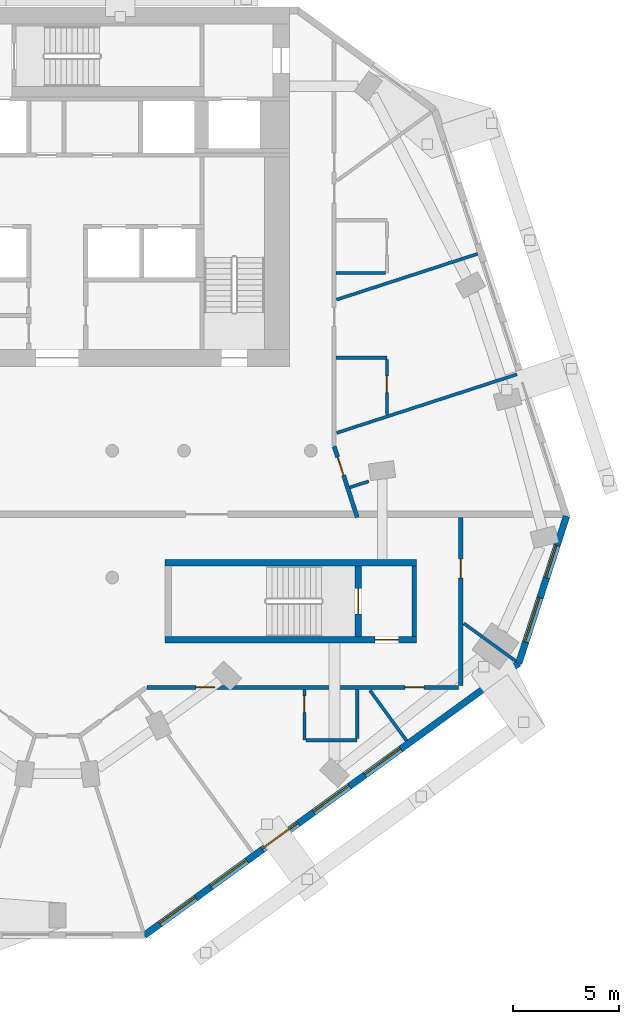
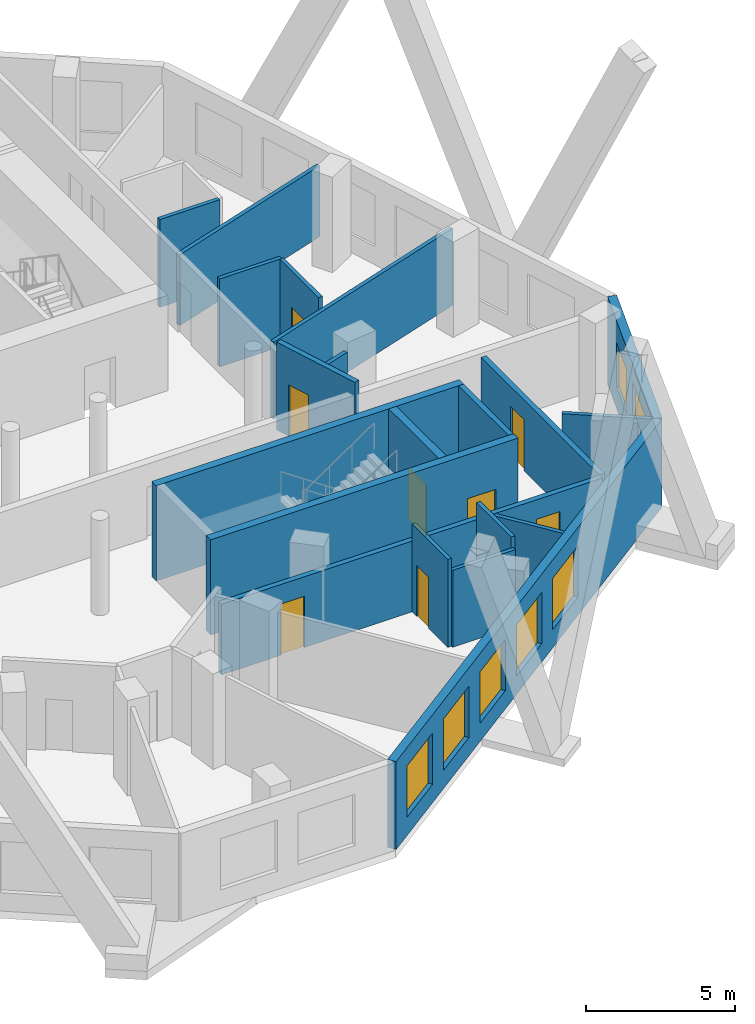
# One storey, part 5 of 10: 20 walls, 8 doors, 7 windows, 15 openings.
"""IFC4 building model written with IfcOpenShell, lengths in metres."""

from ifc_helpers import new_model, si_unit, direction, frame, frame_2d, origin, place, context, subcontext, project, spatial, rectangle, extrude, material, layer, layer_set, type_object, element, fill, save


model = new_model("IFC4")

# Units and contexts
model_context = context("Model", 3, precision=1e-05, world=origin(), true_north=direction((0.0, 1.0)))
body_context = subcontext(model_context, "Body", "Model", "MODEL_VIEW")
ifc_project = project(units=[si_unit("LENGTHUNIT", "METRE"), si_unit("AREAUNIT", "SQUARE_METRE"), si_unit("VOLUMEUNIT", "CUBIC_METRE"), si_unit("PLANEANGLEUNIT", "RADIAN"), si_unit("MASSUNIT", "GRAM", prefix="KILO")], contexts=[model_context])

# Site, building, storey
site_placement = place(None, origin())
site = spatial("IfcSite", under=ifc_project, at=site_placement, CompositionType="ELEMENT")
building_placement = place(site_placement, origin())
building = spatial("IfcBuilding", under=site, at=building_placement, Name="White Candle Pilgrim Tower", CompositionType="ELEMENT")
storey_placement = place(building_placement, frame((0.0, 0.0, 231.60009765625)))
storey = spatial("IfcBuildingStorey", under=building, at=storey_placement, Name="L54", CompositionType="ELEMENT", Elevation=231.60009765625)

# Wall
ifc_material_1 = material(Name="Concrete C50/60", Category="concrete")
ifc_layer_1 = layer(ifc_material_1, 0.199951171875)
ifc_layer_set_1 = layer_set([ifc_layer_1], Name="Core wall 200 mm Concrete C50/60")
wall_type_1 = type_object("IfcWallType", Name="Core wall 200 mm Concrete C50/60", PredefinedType="SHEAR", material=ifc_layer_set_1)
wall_1_placement = place(storey_placement, frame((86.89990234375, 58.199951171875, 0.0), z_axis=(0.0, 0.0, 1.0), x_axis=(0.0, 1.0, 0.0)))
element("IfcWall", 1, at=wall_1_placement, inside=storey, type_object=wall_type_1, Name="WL-L54-C08", PredefinedType="SHEAR", context=body_context, shape_type="SweptSolid", body=[
    extrude(rectangle(XDim=3.35009765625, YDim=0.199951171875, at=frame_2d((1.675048828125, 0.0))), origin(), (0.0, 0.0, 1.0), 3.89990234375),
])

# Wall, opening, door
ifc_material_2 = material(Name="Gypsum board on steel studs", Category="steel")
ifc_layer_2 = layer(ifc_material_2, 0.199951171875)
ifc_layer_set_2 = layer_set([ifc_layer_2], Name="Corridor wall 200 mm EI 45")
wall_type_2 = type_object("IfcWallType", Name="Corridor wall 200 mm EI 45", PredefinedType="PARTITIONING", material=ifc_layer_set_2)
wall_2_placement = place(storey_placement, frame((83.10498046875, 67.2109375, 0.0), z_axis=(0.0, 0.0, 1.0), x_axis=(0.309026709141, -0.951053359721, 0.0)))
wall_2 = element("IfcWall", 2, at=wall_2_placement, inside=storey, type_object=wall_type_2, Name="WL-L54-P005", PredefinedType="PARTITIONING", context=body_context, shape_type="SweptSolid", body=[
    extrude(rectangle(XDim=3.53369140625, YDim=0.199951171875, at=frame_2d((1.766845703125, 0.0))), origin(), (0.0, 0.0, 1.0), 3.599853515625),
])
opening_1_placement = place(wall_2_placement, frame((0.542236328125, 0.0, 0.0)))
opening_1 = element("IfcOpeningElement", 3, at=opening_1_placement, cuts=wall_2, Name="Opening T17-126", PredefinedType="OPENING", context=body_context, shape_type="SweptSolid", body=[
    extrude(rectangle(XDim=0.89990234375, YDim=2.10009765625, at=frame_2d((0.449951171875, 1.050048828125))), frame((0.0, 0.10986328125, 0.0), z_axis=(0.0, -1.0, 0.0), x_axis=(1.0, 0.0, 0.0)), (0.0, 0.0, 1.0), 0.219970703125),
])
ifc_material_3 = material(Name="Steel door leaf", Category="steel")
door_type_1 = type_object("IfcDoorType", Name="Fire door 900 x 2100 EI 30", OperationType="NOTDEFINED", PredefinedType="DOOR", material=ifc_material_3)
door_1_placement = place(opening_1_placement, origin())
door_1 = element("IfcDoor", 4, at=door_1_placement, inside=storey, type_object=door_type_1, Name="Door T17-126", OperationType="SINGLE_SWING_RIGHT", OverallHeight=2.10009765625, OverallWidth=0.89990234375, PredefinedType="DOOR", context=body_context, shape_type="SweptSolid", body=[
    extrude(rectangle(XDim=0.89990234375, YDim=2.10009765625, at=frame_2d((0.449951171875, 1.050048828125))), frame((0.0, 0.02490234375, 0.0), z_axis=(0.0, -1.0, 0.0), x_axis=(1.0, 0.0, 0.0)), (0.0, 0.0, 1.0), 0.050048828125),
])
fill(opening_1, door_1)

wall_3_placement = place(storey_placement, frame((89.10009765625, 63.85009765625, 0.0), z_axis=(0.0, 0.0, 1.0), x_axis=(0.0, -1.0, 0.0)))
wall_3 = element("IfcWall", 5, at=wall_3_placement, inside=storey, type_object=wall_type_2, Name="WL-L54-P006", PredefinedType="PARTITIONING", context=body_context, shape_type="SweptSolid", body=[
    extrude(rectangle(XDim=7.9501953125, YDim=0.199951171875, at=frame_2d((3.97509765625, 0.0))), origin(), (0.0, 0.0, 1.0), 2.89990234375),
])
opening_2_placement = place(wall_3_placement, frame((1.983154296875, 0.0, 0.0)))
opening_2 = element("IfcOpeningElement", 6, at=opening_2_placement, cuts=wall_3, Name="Opening T17-114", PredefinedType="OPENING", context=body_context, shape_type="SweptSolid", body=[
    extrude(rectangle(XDim=0.89990234375, YDim=2.10009765625, at=frame_2d((0.449951171875, 1.050048828125))), frame((0.0, 0.10986328125, 0.0), z_axis=(0.0, -1.0, 0.0), x_axis=(1.0, 0.0, 0.0)), (0.0, 0.0, 1.0), 0.219970703125),
])
door_2_placement = place(opening_2_placement, origin())
door_2 = element("IfcDoor", 7, at=door_2_placement, inside=storey, type_object=door_type_1, Name="Door T17-114", OperationType="SINGLE_SWING_RIGHT", OverallHeight=2.10009765625, OverallWidth=0.89990234375, PredefinedType="DOOR", context=body_context, shape_type="SweptSolid", body=[
    extrude(rectangle(XDim=0.89990234375, YDim=2.10009765625, at=frame_2d((0.449951171875, 1.050048828125))), frame((0.0, 0.02490234375, 0.0), z_axis=(0.0, -1.0, 0.0), x_axis=(1.0, 0.0, 0.0)), (0.0, 0.0, 1.0), 0.050048828125),
])
fill(opening_2, door_2)

# Wall, openings, doors
wall_4_placement = place(storey_placement, frame((89.0, 55.800048828125, 0.0), z_axis=(0.0, 0.0, 1.0), x_axis=(-1.0, 0.0, 0.0)))
wall_4 = element("IfcWall", 8, at=wall_4_placement, inside=storey, type_object=wall_type_2, Name="WL-L54-P007", PredefinedType="PARTITIONING", context=body_context, shape_type="SweptSolid", body=[
    extrude(rectangle(XDim=14.751220703125, YDim=0.199951171875, at=frame_2d((7.37548828125, 0.0))), origin(), (0.0, 0.0, 1.0), 2.89990234375),
])
opening_3_placement = place(wall_4_placement, frame((11.543212890625, 0.0, 0.0)))
opening_3 = element("IfcOpeningElement", 9, at=opening_3_placement, cuts=wall_4, Name="Opening T17-112", PredefinedType="OPENING", context=body_context, shape_type="SweptSolid", body=[
    extrude(rectangle(XDim=0.89990234375, YDim=2.10009765625, at=frame_2d((0.449951171875, 1.050048828125))), frame((0.0, 0.10986328125, 0.0), z_axis=(0.0, -1.0, 0.0), x_axis=(1.0, 0.0, 0.0)), (0.0, 0.0, 1.0), 0.219970703125),
])
opening_4_placement = place(wall_4_placement, frame((1.651611328125, 0.0, 0.0)))
opening_4 = element("IfcOpeningElement", 10, at=opening_4_placement, cuts=wall_4, Name="Opening T17-113", PredefinedType="OPENING", context=body_context, shape_type="SweptSolid", body=[
    extrude(rectangle(XDim=0.89990234375, YDim=2.10009765625, at=frame_2d((0.449951171875, 1.050048828125))), frame((0.0, 0.10986328125, 0.0), z_axis=(0.0, -1.0, 0.0), x_axis=(1.0, 0.0, 0.0)), (0.0, 0.0, 1.0), 0.219970703125),
])
door_3_placement = place(opening_3_placement, origin())
door_3 = element("IfcDoor", 11, at=door_3_placement, inside=storey, type_object=door_type_1, Name="Door T17-112", OperationType="SINGLE_SWING_RIGHT", OverallHeight=2.10009765625, OverallWidth=0.89990234375, PredefinedType="DOOR", context=body_context, shape_type="SweptSolid", body=[
    extrude(rectangle(XDim=0.89990234375, YDim=2.10009765625, at=frame_2d((0.449951171875, 1.050048828125))), frame((0.0, 0.02490234375, 0.0), z_axis=(0.0, -1.0, 0.0), x_axis=(1.0, 0.0, 0.0)), (0.0, 0.0, 1.0), 0.050048828125),
])
fill(opening_3, door_3)
door_4_placement = place(opening_4_placement, origin())
door_4 = element("IfcDoor", 12, at=door_4_placement, inside=storey, type_object=door_type_1, Name="Door T17-113", OperationType="SINGLE_SWING_LEFT", OverallHeight=2.10009765625, OverallWidth=0.89990234375, PredefinedType="DOOR", context=body_context, shape_type="SweptSolid", body=[
    extrude(rectangle(XDim=0.89990234375, YDim=2.10009765625, at=frame_2d((0.449951171875, 1.050048828125))), frame((0.0, 0.02490234375, 0.0), z_axis=(0.0, -1.0, 0.0), x_axis=(1.0, 0.0, 0.0)), (0.0, 0.0, 1.0), 0.050048828125),
])
fill(opening_4, door_4)

# Wall, openings, windows
ifc_material_4 = material(Name="Precast concrete C40/50", Category="concrete")
ifc_layer_3 = layer(ifc_material_4, 0.320068359375)
ifc_layer_set_3 = layer_set([ifc_layer_3], Name="Facade wall EW1 precast concrete C40/50 pier wall with timber-lined reveals")
wall_type_3 = type_object("IfcWallType", Name="Facade wall EW1 precast concrete C40/50 pier wall with timber-lined reveals", PredefinedType="SOLIDWALL", material=ifc_layer_set_3)
wall_5_placement = place(storey_placement, frame((74.123779296875, 44.064208984375, 0.0), z_axis=(0.0, 0.0, 1.0), x_axis=(0.809013617361, 0.587789900325, 0.0)))
wall_5 = element("IfcWall", 13, at=wall_5_placement, inside=storey, type_object=wall_type_3, Name="Facade wall L54 SE", PredefinedType="SOLIDWALL", context=body_context, shape_type="SweptSolid", body=[
    extrude(rectangle(XDim=21.904052734375, YDim=0.320068359375, at=frame_2d((10.9521484375, 0.0))), origin(), (0.0, 0.0, 1.0), 3.599853515625),
])
opening_5_placement = place(wall_5_placement, frame((0.902099609375, 0.0, 0.75)))
opening_5 = element("IfcOpeningElement", 14, at=opening_5_placement, cuts=wall_5, Name="Opening W3", PredefinedType="OPENING", context=body_context, shape_type="SweptSolid", body=[
    extrude(rectangle(XDim=2.10009765625, YDim=2.10009765625, at=frame_2d((1.050048828125, 1.050048828125))), frame((0.0, 0.169921875, 0.0), z_axis=(0.0, -1.0, 0.0), x_axis=(1.0, 0.0, 0.0)), (0.0, 0.0, 1.0), 0.340087890625),
])
opening_6_placement = place(wall_5_placement, frame((3.902099609375, 0.0, 0.75)))
opening_6 = element("IfcOpeningElement", 15, at=opening_6_placement, cuts=wall_5, Name="Opening W3", PredefinedType="OPENING", context=body_context, shape_type="SweptSolid", body=[
    extrude(rectangle(XDim=2.10009765625, YDim=2.10009765625, at=frame_2d((1.050048828125, 1.050048828125))), frame((0.0, 0.169921875, 0.0), z_axis=(0.0, -1.0, 0.0), x_axis=(1.0, 0.0, 0.0)), (0.0, 0.0, 1.0), 0.340087890625),
])
opening_7_placement = place(wall_5_placement, frame((6.902099609375, 0.0, 0.75)))
opening_7 = element("IfcOpeningElement", 16, at=opening_7_placement, cuts=wall_5, Name="Opening W3", PredefinedType="OPENING", context=body_context, shape_type="SweptSolid", body=[
    extrude(rectangle(XDim=2.10009765625, YDim=2.10009765625, at=frame_2d((1.050048828125, 1.050048828125))), frame((0.0, 0.169921875, 0.0), z_axis=(0.0, -1.0, 0.0), x_axis=(1.0, 0.0, 0.0)), (0.0, 0.0, 1.0), 0.340087890625),
])
opening_8_placement = place(wall_5_placement, frame((9.902099609375, 0.0, 0.75)))
opening_8 = element("IfcOpeningElement", 17, at=opening_8_placement, cuts=wall_5, Name="Opening W3", PredefinedType="OPENING", context=body_context, shape_type="SweptSolid", body=[
    extrude(rectangle(XDim=2.10009765625, YDim=2.10009765625, at=frame_2d((1.050048828125, 1.050048828125))), frame((0.0, 0.169921875, 0.0), z_axis=(0.0, -1.0, 0.0), x_axis=(1.0, 0.0, 0.0)), (0.0, 0.0, 1.0), 0.340087890625),
])
opening_9_placement = place(wall_5_placement, frame((12.902099609375, 0.0, 0.75)))
opening_9 = element("IfcOpeningElement", 18, at=opening_9_placement, cuts=wall_5, Name="Opening W3", PredefinedType="OPENING", context=body_context, shape_type="SweptSolid", body=[
    extrude(rectangle(XDim=2.10009765625, YDim=2.10009765625, at=frame_2d((1.050048828125, 1.050048828125))), frame((0.0, 0.169921875, 0.0), z_axis=(0.0, -1.0, 0.0), x_axis=(1.0, 0.0, 0.0)), (0.0, 0.0, 1.0), 0.340087890625),
])
ifc_material_5 = material(Name="Timber frame with triple glazing", Category="wood")
window_type_1 = type_object("IfcWindowType", Name="Window W3 2100x2100 timber frame triple glazing", PartitioningType="SINGLE_PANEL", PredefinedType="WINDOW", material=ifc_material_5)
window_1_placement = place(opening_5_placement, origin())
window_1 = element("IfcWindow", 19, at=window_1_placement, inside=storey, type_object=window_type_1, Name="Window W3 L54 SE 1", OverallHeight=2.10009765625, OverallWidth=2.10009765625, PartitioningType="SINGLE_PANEL", PredefinedType="WINDOW", context=body_context, shape_type="SweptSolid", body=[
    extrude(rectangle(XDim=2.10009765625, YDim=2.10009765625, at=frame_2d((1.050048828125, 1.050048828125))), frame((0.0, 0.070068359375, 0.0), z_axis=(0.0, -1.0, 0.0), x_axis=(1.0, 0.0, 0.0)), (0.0, 0.0, 1.0), 0.06005859375),
])
fill(opening_5, window_1)
window_2_placement = place(opening_6_placement, origin())
window_2 = element("IfcWindow", 20, at=window_2_placement, inside=storey, type_object=window_type_1, Name="Window W3 L54 SE 2", OverallHeight=2.10009765625, OverallWidth=2.10009765625, PartitioningType="SINGLE_PANEL", PredefinedType="WINDOW", context=body_context, shape_type="SweptSolid", body=[
    extrude(rectangle(XDim=2.10009765625, YDim=2.10009765625, at=frame_2d((1.050048828125, 1.050048828125))), frame((0.0, 0.070068359375, 0.0), z_axis=(0.0, -1.0, 0.0), x_axis=(1.0, 0.0, 0.0)), (0.0, 0.0, 1.0), 0.06005859375),
])
fill(opening_6, window_2)
window_3_placement = place(opening_7_placement, origin())
window_3 = element("IfcWindow", 21, at=window_3_placement, inside=storey, type_object=window_type_1, Name="Window W3 L54 SE 3", OverallHeight=2.10009765625, OverallWidth=2.10009765625, PartitioningType="SINGLE_PANEL", PredefinedType="WINDOW", context=body_context, shape_type="SweptSolid", body=[
    extrude(rectangle(XDim=2.10009765625, YDim=2.10009765625, at=frame_2d((1.050048828125, 1.050048828125))), frame((0.0, 0.070068359375, 0.0), z_axis=(0.0, -1.0, 0.0), x_axis=(1.0, 0.0, 0.0)), (0.0, 0.0, 1.0), 0.06005859375),
])
fill(opening_7, window_3)
window_4_placement = place(opening_8_placement, origin())
window_4 = element("IfcWindow", 22, at=window_4_placement, inside=storey, type_object=window_type_1, Name="Window W3 L54 SE 4", OverallHeight=2.10009765625, OverallWidth=2.10009765625, PartitioningType="SINGLE_PANEL", PredefinedType="WINDOW", context=body_context, shape_type="SweptSolid", body=[
    extrude(rectangle(XDim=2.10009765625, YDim=2.10009765625, at=frame_2d((1.050048828125, 1.050048828125))), frame((0.0, 0.070068359375, 0.0), z_axis=(0.0, -1.0, 0.0), x_axis=(1.0, 0.0, 0.0)), (0.0, 0.0, 1.0), 0.06005859375),
])
fill(opening_8, window_4)
window_5_placement = place(opening_9_placement, origin())
window_5 = element("IfcWindow", 23, at=window_5_placement, inside=storey, type_object=window_type_1, Name="Window W3 L54 SE 5", OverallHeight=2.10009765625, OverallWidth=2.10009765625, PartitioningType="SINGLE_PANEL", PredefinedType="WINDOW", context=body_context, shape_type="SweptSolid", body=[
    extrude(rectangle(XDim=2.10009765625, YDim=2.10009765625, at=frame_2d((1.050048828125, 1.050048828125))), frame((0.0, 0.070068359375, 0.0), z_axis=(0.0, -1.0, 0.0), x_axis=(1.0, 0.0, 0.0)), (0.0, 0.0, 1.0), 0.06005859375),
])
fill(opening_9, window_5)

wall_6_placement = place(storey_placement, frame((91.844482421875, 56.939208984375, 0.0), z_axis=(0.0, 0.0, 1.0), x_axis=(0.309034031294, 0.951050980496, 0.0)))
wall_6 = element("IfcWall", 24, at=wall_6_placement, inside=storey, type_object=wall_type_3, Name="Facade wall L54 E chamfer", PredefinedType="SOLIDWALL", context=body_context, shape_type="SweptSolid", body=[
    extrude(rectangle(XDim=7.319580078125, YDim=0.320068359375, at=frame_2d((3.65966796875, 0.0))), origin(), (0.0, 0.0, 1.0), 3.599853515625),
])
opening_10_placement = place(wall_6_placement, frame((1.059814453125, 0.0, 0.75)))
opening_10 = element("IfcOpeningElement", 25, at=opening_10_placement, cuts=wall_6, Name="Opening W4", PredefinedType="OPENING", context=body_context, shape_type="SweptSolid", body=[
    extrude(rectangle(XDim=2.199951171875, YDim=2.10009765625, at=frame_2d((1.10009765625, 1.050048828125))), frame((0.0, 0.169921875, 0.0), z_axis=(0.0, -1.0, 0.0), x_axis=(1.0, 0.0, 0.0)), (0.0, 0.0, 1.0), 0.340087890625),
])
opening_11_placement = place(wall_6_placement, frame((4.259765625, 0.0, 0.89990234375)))
opening_11 = element("IfcOpeningElement", 26, at=opening_11_placement, cuts=wall_6, Name="Opening W2", PredefinedType="OPENING", context=body_context, shape_type="SweptSolid", body=[
    extrude(rectangle(XDim=1.60009765625, YDim=1.800048828125, at=frame_2d((0.800048828125, 0.89990234375))), frame((0.0, 0.169921875, 0.0), z_axis=(0.0, -1.0, 0.0), x_axis=(1.0, 0.0, 0.0)), (0.0, 0.0, 1.0), 0.340087890625),
])
window_type_2 = type_object("IfcWindowType", Name="Window W2 1600x1800 timber frame triple glazing", PartitioningType="SINGLE_PANEL", PredefinedType="WINDOW", material=ifc_material_5)
window_6_placement = place(opening_11_placement, origin())
window_6 = element("IfcWindow", 27, at=window_6_placement, inside=storey, type_object=window_type_2, Name="Window W2 L54 E chamfer 2", OverallHeight=1.800048828125, OverallWidth=1.60009765625, PartitioningType="SINGLE_PANEL", PredefinedType="WINDOW", context=body_context, shape_type="SweptSolid", body=[
    extrude(rectangle(XDim=1.60009765625, YDim=1.800048828125, at=frame_2d((0.800048828125, 0.89990234375))), frame((0.0, 0.070068359375, 0.0), z_axis=(0.0, -1.0, 0.0), x_axis=(1.0, 0.0, 0.0)), (0.0, 0.0, 1.0), 0.06005859375),
])
fill(opening_11, window_6)
window_type_3 = type_object("IfcWindowType", Name="Window W4 2200x2100 timber frame triple glazing", PartitioningType="SINGLE_PANEL", PredefinedType="WINDOW", material=ifc_material_5)
window_7_placement = place(opening_10_placement, origin())
window_7 = element("IfcWindow", 28, at=window_7_placement, inside=storey, type_object=window_type_3, Name="Window W4 L54 E chamfer 1", OverallHeight=2.10009765625, OverallWidth=2.199951171875, PartitioningType="SINGLE_PANEL", PredefinedType="WINDOW", context=body_context, shape_type="SweptSolid", body=[
    extrude(rectangle(XDim=2.199951171875, YDim=2.10009765625, at=frame_2d((1.10009765625, 1.050048828125))), frame((0.0, 0.070068359375, 0.0), z_axis=(0.0, -1.0, 0.0), x_axis=(1.0, 0.0, 0.0)), (0.0, 0.0, 1.0), 0.06005859375),
])
fill(opening_10, window_7)

# Walls
ifc_layer_4 = layer(ifc_material_2, 0.14990234375)
ifc_layer_set_4 = layer_set([ifc_layer_4], Name="Partition 150 mm EI 60")
wall_type_4 = type_object("IfcWallType", Name="Partition 150 mm EI 60", PredefinedType="PARTITIONING", material=ifc_layer_set_4)
wall_7_placement = place(storey_placement, frame((91.70849609375, 57.0380859375, 0.0), z_axis=(0.0, 0.0, 1.0), x_axis=(-0.809006333386, 0.587799925605, 0.0)))
element("IfcWall", 29, at=wall_7_placement, inside=storey, type_object=wall_type_4, Name="WL-L54-P017", PredefinedType="PARTITIONING", context=body_context, shape_type="SweptSolid", body=[
    extrude(rectangle(XDim=3.046142578125, YDim=0.14990234375, at=frame_2d((1.52294921875, 0.0))), origin(), (0.0, 0.0, 1.0), 3.599853515625),
])
wall_8_placement = place(storey_placement, frame((86.53076171875, 53.276123046875, 0.0), z_axis=(0.0, 0.0, 1.0), x_axis=(-0.587766969839, 0.809030277039, 0.0)))
element("IfcWall", 30, at=wall_8_placement, inside=storey, type_object=wall_type_4, Name="WL-L54-P034", PredefinedType="PARTITIONING", context=body_context, shape_type="SweptSolid", body=[
    extrude(rectangle(XDim=2.941650390625, YDim=0.14990234375, at=frame_2d((1.470703125, 0.0))), origin(), (0.0, 0.0, 1.0), 2.89990234375),
])

# Wall, opening, door
wall_9_placement = place(storey_placement, frame((81.697021484375, 55.699951171875, 0.0), z_axis=(0.0, 0.0, 1.0), x_axis=(0.0, -1.0, 0.0)))
wall_9 = element("IfcWall", 31, at=wall_9_placement, inside=storey, type_object=wall_type_4, Name="WL-L54-P035", PredefinedType="PARTITIONING", context=body_context, shape_type="SweptSolid", body=[
    extrude(rectangle(XDim=2.39990234375, YDim=0.14990234375, at=frame_2d((1.199951171875, 0.0))), origin(), (0.0, 0.0, 1.0), 3.599853515625),
])
opening_12_placement = place(wall_9_placement, frame((0.300048828125, 0.0, 0.0)))
opening_12 = element("IfcOpeningElement", 32, at=opening_12_placement, cuts=wall_9, Name="Opening T17-111", PredefinedType="OPENING", context=body_context, shape_type="SweptSolid", body=[
    extrude(rectangle(XDim=0.800048828125, YDim=2.10009765625, at=frame_2d((0.39990234375, 1.050048828125))), frame((0.0, 0.0849609375, 0.0), z_axis=(0.0, -1.0, 0.0), x_axis=(1.0, 0.0, 0.0)), (0.0, 0.0, 1.0), 0.169921875),
])
door_type_2 = type_object("IfcDoorType", Name="Fire door 800 x 2100 EI 30", OperationType="NOTDEFINED", PredefinedType="DOOR", material=ifc_material_3)
door_5_placement = place(opening_12_placement, frame((0.800048828125, 0.0, 0.0), z_axis=(0.0, 0.0, 1.0), x_axis=(-1.0, 0.0, 0.0)))
door_5 = element("IfcDoor", 33, at=door_5_placement, inside=storey, type_object=door_type_2, Name="Door T17-111", OperationType="SINGLE_SWING_RIGHT", OverallHeight=2.10009765625, OverallWidth=0.800048828125, PredefinedType="DOOR", context=body_context, shape_type="SweptSolid", body=[
    extrude(rectangle(XDim=0.800048828125, YDim=2.10009765625, at=frame_2d((0.39990234375, 1.050048828125))), frame((0.0, 0.02490234375, 0.0), z_axis=(0.0, -1.0, 0.0), x_axis=(1.0, 0.0, 0.0)), (0.0, 0.0, 1.0), 0.050048828125),
])
fill(opening_12, door_5)

# Walls
wall_10_placement = place(storey_placement, frame((84.197021484375, 53.300048828125, 0.0), z_axis=(0.0, 0.0, 1.0), x_axis=(-1.0, 0.0, 0.0)))
element("IfcWall", 34, at=wall_10_placement, inside=storey, type_object=wall_type_4, Name="WL-L54-P036", PredefinedType="PARTITIONING", context=body_context, shape_type="SweptSolid", body=[
    extrude(rectangle(XDim=2.4248046875, YDim=0.14990234375, at=frame_2d((1.21240234375, 0.0))), origin(), (0.0, 0.0, 1.0), 3.14990234375),
])
wall_11_placement = place(storey_placement, frame((84.197021484375, 55.699951171875, 0.0), z_axis=(0.0, 0.0, 1.0), x_axis=(0.0, -1.0, 0.0)))
element("IfcWall", 35, at=wall_11_placement, inside=storey, type_object=wall_type_4, Name="WL-L54-P037", PredefinedType="PARTITIONING", context=body_context, shape_type="SweptSolid", body=[
    extrude(rectangle(XDim=2.324951171875, YDim=0.14990234375, at=frame_2d((1.16259765625, 0.0))), origin(), (0.0, 0.0, 1.0), 3.599853515625),
])
wall_12_placement = place(storey_placement, frame((91.755859375, 70.6171875, 0.0), z_axis=(0.0, 0.0, 1.0), x_axis=(-0.951056063509, -0.309018387903, 0.0)))
element("IfcWall", 36, at=wall_12_placement, inside=storey, type_object=wall_type_4, Name="WL-L54-P038", PredefinedType="PARTITIONING", context=body_context, shape_type="SweptSolid", body=[
    extrude(rectangle(XDim=8.971923828125, YDim=0.14990234375, at=frame_2d((4.48583984375, 0.0))), origin(), (0.0, 0.0, 1.0), 3.14990234375),
])
wall_13_placement = place(storey_placement, frame((89.901611328125, 76.323486328125, 0.0), z_axis=(0.0, 0.0, 1.0), x_axis=(-0.951058338022, -0.30901138762, 0.0)))
element("IfcWall", 37, at=wall_13_placement, inside=storey, type_object=wall_type_4, Name="WL-L54-P039", PredefinedType="PARTITIONING", context=body_context, shape_type="SweptSolid", body=[
    extrude(rectangle(XDim=7.022216796875, YDim=0.14990234375, at=frame_2d((3.51123046875, 0.0))), origin(), (0.0, 0.0, 1.0), 2.89990234375),
])
wall_14_placement = place(storey_placement, frame((83.199951171875, 71.39990234375, 0.0), z_axis=(0.0, 0.0, 1.0), x_axis=(1.0, 0.0, 0.0)))
element("IfcWall", 38, at=wall_14_placement, inside=storey, type_object=wall_type_4, Name="WL-L54-P040", PredefinedType="PARTITIONING", context=body_context, shape_type="SweptSolid", body=[
    extrude(rectangle(XDim=2.400146484375, YDim=0.14990234375, at=frame_2d((1.2001953125, 0.0))), origin(), (0.0, 0.0, 1.0), 3.599853515625),
])

# Wall, opening, door
wall_15_placement = place(storey_placement, frame((85.60009765625, 68.72021484375, 0.0), z_axis=(0.0, 0.0, 1.0), x_axis=(0.0, 1.0, 0.0)))
wall_15 = element("IfcWall", 39, at=wall_15_placement, inside=storey, type_object=wall_type_4, Name="WL-L54-P041", PredefinedType="PARTITIONING", context=body_context, shape_type="SweptSolid", body=[
    extrude(rectangle(XDim=2.604736328125, YDim=0.14990234375, at=frame_2d((1.30224609375, 0.0))), origin(), (0.0, 0.0, 1.0), 3.599853515625),
])
opening_13_placement = place(wall_15_placement, frame((1.02978515625, 0.0, 0.0)))
opening_13 = element("IfcOpeningElement", 40, at=opening_13_placement, cuts=wall_15, Name="Opening T17-115", PredefinedType="OPENING", context=body_context, shape_type="SweptSolid", body=[
    extrude(rectangle(XDim=0.800048828125, YDim=2.10009765625, at=frame_2d((0.39990234375, 1.050048828125))), frame((0.0, 0.0849609375, 0.0), z_axis=(0.0, -1.0, 0.0), x_axis=(1.0, 0.0, 0.0)), (0.0, 0.0, 1.0), 0.169921875),
])
door_6_placement = place(opening_13_placement, frame((0.800048828125, 0.0, 0.0), z_axis=(0.0, 0.0, 1.0), x_axis=(-1.0, 0.0, 0.0)))
door_6 = element("IfcDoor", 41, at=door_6_placement, inside=storey, type_object=door_type_2, Name="Door T17-115", OperationType="SINGLE_SWING_RIGHT", OverallHeight=2.10009765625, OverallWidth=0.800048828125, PredefinedType="DOOR", context=body_context, shape_type="SweptSolid", body=[
    extrude(rectangle(XDim=0.800048828125, YDim=2.10009765625, at=frame_2d((0.39990234375, 1.050048828125))), frame((0.0, 0.02490234375, 0.0), z_axis=(0.0, -1.0, 0.0), x_axis=(1.0, 0.0, 0.0)), (0.0, 0.0, 1.0), 0.050048828125),
])
fill(opening_13, door_6)

# Walls
wall_16_placement = place(storey_placement, frame((83.199951171875, 75.413330078125, 0.0), z_axis=(0.0, 0.0, 1.0), x_axis=(1.0, 0.0, 0.0)))
element("IfcWall", 42, at=wall_16_placement, inside=storey, type_object=wall_type_4, Name="WL-L54-P044", PredefinedType="PARTITIONING", context=body_context, shape_type="SweptSolid", body=[
    extrude(rectangle(XDim=2.324951171875, YDim=0.14990234375, at=frame_2d((1.16259765625, 0.0))), origin(), (0.0, 0.0, 1.0), 3.599853515625),
])
wall_17_placement = place(storey_placement, frame((84.7431640625, 65.55517578125, 0.0), z_axis=(0.0, 0.0, 1.0), x_axis=(-0.951054918228, -0.309021912676, 0.0)))
element("IfcWall", 43, at=wall_17_placement, inside=storey, type_object=wall_type_4, Name="WL-L54-P046", PredefinedType="PARTITIONING", context=body_context, shape_type="SweptSolid", body=[
    extrude(rectangle(XDim=0.946533203125, YDim=0.14990234375, at=frame_2d((0.47314453125, 0.0))), origin(), (0.0, 0.0, 1.0), 3.599853515625),
])

# Wall, opening, door
ifc_layer_5 = layer(ifc_material_1, 0.300048828125)
ifc_layer_set_5 = layer_set([ifc_layer_5], Name="Stair shaft wall 300 mm Concrete C50/60")
wall_type_5 = type_object("IfcWallType", Name="Stair shaft wall 300 mm Concrete C50/60", PredefinedType="SHEAR", material=ifc_layer_set_5)
wall_18_placement = place(storey_placement, frame((75.10009765625, 58.050048828125, 0.0), z_axis=(0.0, 0.0, 1.0), x_axis=(1.0, 0.0, 0.0)))
wall_18 = element("IfcWall", 44, at=wall_18_placement, inside=storey, type_object=wall_type_5, Name="WL-L54-C02", PredefinedType="SHEAR", context=body_context, shape_type="SweptSolid", body=[
    extrude(rectangle(XDim=11.89990234375, YDim=0.300048828125, at=frame_2d((5.949951171875, 0.0))), origin(), (0.0, 0.0, 1.0), 3.89990234375),
])
opening_14_placement = place(wall_18_placement, frame((9.949951171875, 0.0, 0.0)))
opening_14 = element("IfcOpeningElement", 45, at=opening_14_placement, cuts=wall_18, Name="Opening T17-012", PredefinedType="OPENING", context=body_context, shape_type="SweptSolid", body=[
    extrude(rectangle(XDim=1.10009765625, YDim=2.10009765625, at=frame_2d((0.550048828125, 1.050048828125))), frame((0.0, 0.159912109375, 0.0), z_axis=(0.0, -1.0, 0.0), x_axis=(1.0, 0.0, 0.0)), (0.0, 0.0, 1.0), 0.320068359375),
])
door_type_3 = type_object("IfcDoorType", Name="Fire door 1100 x 2100 EI 60", OperationType="NOTDEFINED", PredefinedType="DOOR", material=ifc_material_3)
door_7_placement = place(opening_14_placement, origin())
door_7 = element("IfcDoor", 46, at=door_7_placement, inside=storey, type_object=door_type_3, Name="Door T17-012", OperationType="SINGLE_SWING_RIGHT", OverallHeight=2.10009765625, OverallWidth=1.10009765625, PredefinedType="DOOR", context=body_context, shape_type="SweptSolid", body=[
    extrude(rectangle(XDim=1.10009765625, YDim=2.10009765625, at=frame_2d((0.550048828125, 1.050048828125))), frame((0.0, 0.02490234375, 0.0), z_axis=(0.0, -1.0, 0.0), x_axis=(1.0, 0.0, 0.0)), (0.0, 0.0, 1.0), 0.050048828125),
])
fill(opening_14, door_7)

wall_19_placement = place(storey_placement, frame((84.25, 58.199951171875, 0.0), z_axis=(0.0, 0.0, 1.0), x_axis=(0.0, 1.0, 0.0)))
wall_19 = element("IfcWall", 47, at=wall_19_placement, inside=storey, type_object=wall_type_5, Name="WL-L54-C07", PredefinedType="SHEAR", context=body_context, shape_type="SweptSolid", body=[
    extrude(rectangle(XDim=3.35009765625, YDim=0.300048828125, at=frame_2d((1.675048828125, 0.0))), origin(), (0.0, 0.0, 1.0), 3.89990234375),
])
opening_15_placement = place(wall_19_placement, frame((1.074951171875, 0.0, 0.0)))
opening_15 = element("IfcOpeningElement", 48, at=opening_15_placement, cuts=wall_19, Name="Opening T17-013", PredefinedType="OPENING", context=body_context, shape_type="SweptSolid", body=[
    extrude(rectangle(XDim=1.199951171875, YDim=2.10009765625, at=frame_2d((0.60009765625, 1.050048828125))), frame((0.0, 0.159912109375, 0.0), z_axis=(0.0, -1.0, 0.0), x_axis=(1.0, 0.0, 0.0)), (0.0, 0.0, 1.0), 0.320068359375),
])
door_type_4 = type_object("IfcDoorType", Name="Fire door 1200 x 2100 EI 60", OperationType="NOTDEFINED", PredefinedType="DOOR", material=ifc_material_3)
door_8_placement = place(opening_15_placement, origin())
door_8 = element("IfcDoor", 49, at=door_8_placement, inside=storey, type_object=door_type_4, Name="Door T17-013", OperationType="SINGLE_SWING_LEFT", OverallHeight=2.10009765625, OverallWidth=1.199951171875, PredefinedType="DOOR", context=body_context, shape_type="SweptSolid", body=[
    extrude(rectangle(XDim=1.199951171875, YDim=2.10009765625, at=frame_2d((0.60009765625, 1.050048828125))), frame((0.0, 0.02490234375, 0.0), z_axis=(0.0, -1.0, 0.0), x_axis=(1.0, 0.0, 0.0)), (0.0, 0.0, 1.0), 0.050048828125),
])
fill(opening_15, door_8)

# Wall
wall_20_placement = place(storey_placement, frame((75.10009765625, 61.699951171875, 0.0), z_axis=(0.0, 0.0, 1.0), x_axis=(1.0, 0.0, 0.0)))
element("IfcWall", 50, at=wall_20_placement, inside=storey, type_object=wall_type_5, Name="WL-L54-C10", PredefinedType="SHEAR", context=body_context, shape_type="SweptSolid", body=[
    extrude(rectangle(XDim=11.89990234375, YDim=0.300048828125, at=frame_2d((5.949951171875, 0.0))), origin(), (0.0, 0.0, 1.0), 3.89990234375),
])

save(model, "model.ifc")
